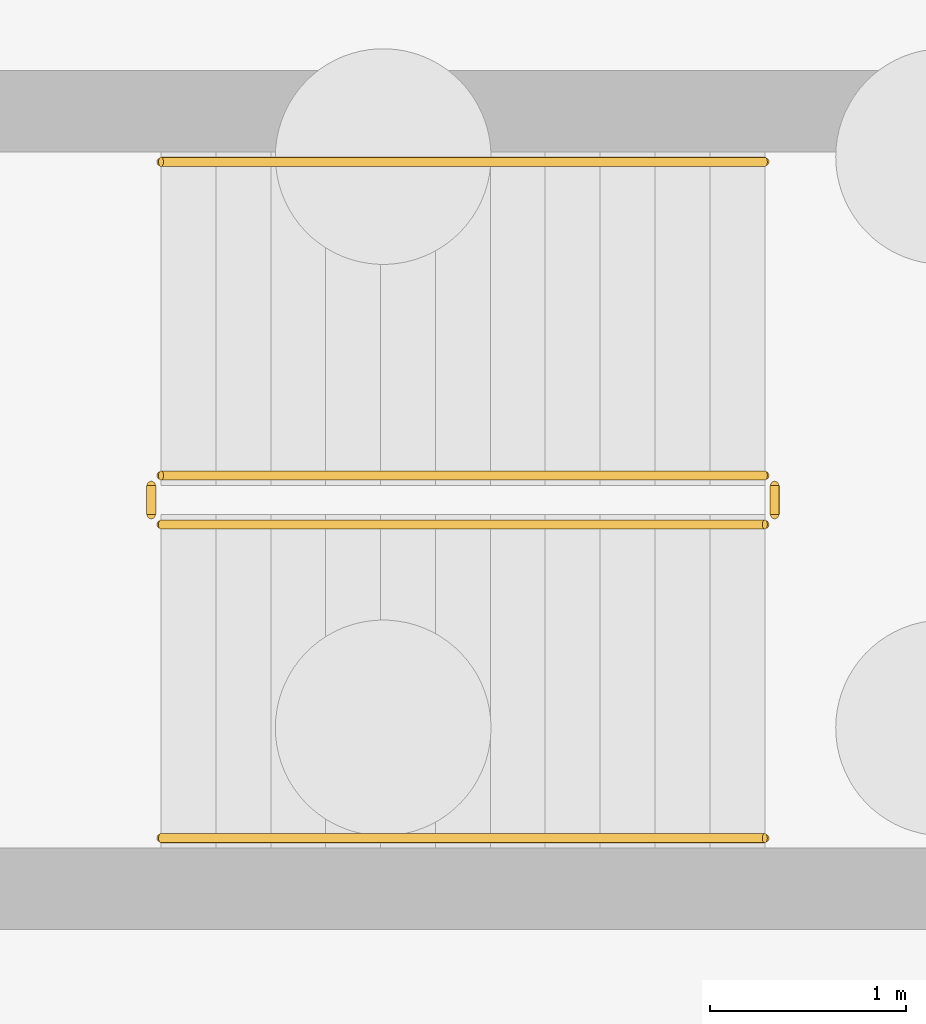
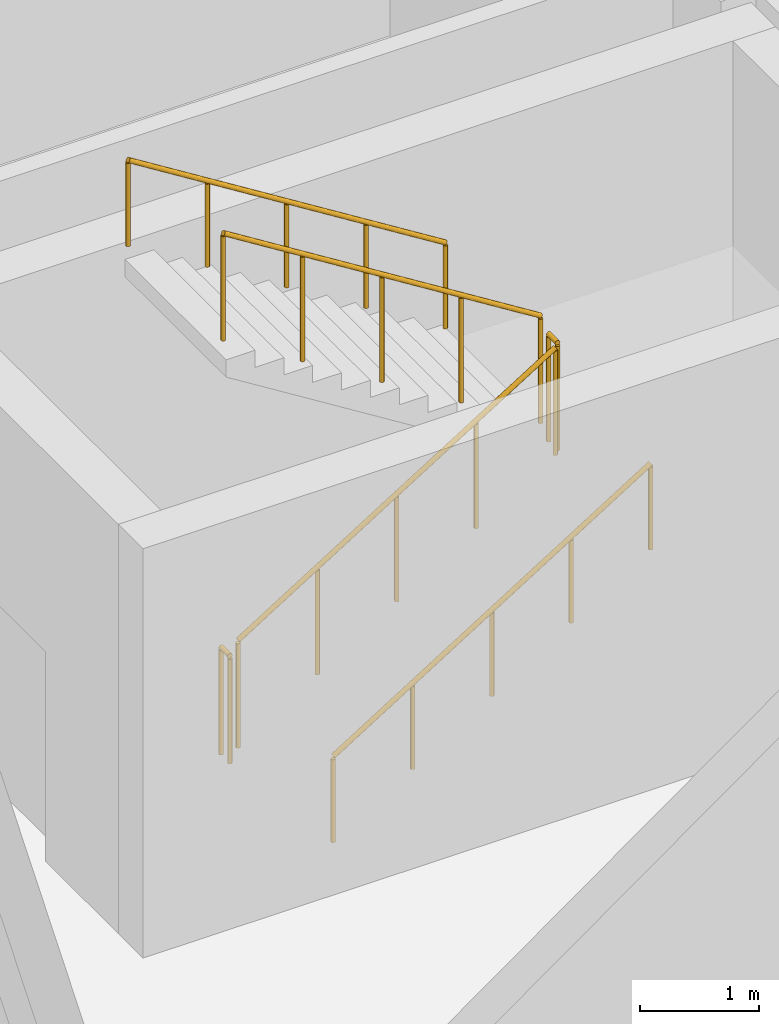
# One storey, part 30 of 31: 6 railings.
"""IFC4 building model written with IfcOpenShell, lengths in metres."""

from ifc_helpers import new_model, si_unit, direction, frame, origin, origin_2d, place, context, subcontext, project, spatial, circle, extrude, material, type_object, element, save


model = new_model("IFC4")

# Units and contexts
model_context = context("Model", 3, precision=1e-05, world=origin(), true_north=direction((0.0, 1.0)))
body_context = subcontext(model_context, "Body", "Model", "MODEL_VIEW")
ifc_project = project(units=[si_unit("LENGTHUNIT", "METRE"), si_unit("AREAUNIT", "SQUARE_METRE"), si_unit("VOLUMEUNIT", "CUBIC_METRE"), si_unit("PLANEANGLEUNIT", "RADIAN"), si_unit("MASSUNIT", "GRAM", prefix="KILO")], contexts=[model_context])

# Site, building, storey
site_placement = place(None, origin())
site = spatial("IfcSite", under=ifc_project, at=site_placement, CompositionType="ELEMENT")
building_placement = place(site_placement, origin())
building = spatial("IfcBuilding", under=site, at=building_placement, Name="Qalavern Law Courts", CompositionType="ELEMENT")
storey_placement = place(building_placement, frame((0.0, 0.0, -8.39990234375)))
storey = spatial("IfcBuildingStorey", under=building, at=storey_placement, Name="B2", CompositionType="ELEMENT", Elevation=-8.39990234375)

# Railings
ifc_material = material(Name="Steel S355", Category="steel")
railing_type_1 = type_object("IfcRailingType", Name="INT-GUARD-1120", PredefinedType="BALUSTRADE", material=ifc_material)
railing_1_placement = place(storey_placement, frame((99.89990234375, 69.949951171875, 0.1748046875)))
element("IfcRailing", 1, at=railing_1_placement, inside=storey, type_object=railing_type_1, Name="B2 ST-K1B stair guard 1", PredefinedType="BALUSTRADE", context=body_context, shape_type="SweptSolid", body=[
    extrude(circle(Radius=0.02392578125, at=origin_2d()), frame((0.0, 0.0, 1.09619140625), z_axis=(0.847998304005, 0.0, 0.529998940003), x_axis=(0.0, 1.0, 0.0)), (0.0, 0.0, 1.0), 3.632080078125),
    extrude(circle(Radius=0.02099609375, at=origin_2d()), origin(), (0.0, 0.0, 1.0), 1.072021484375),
    extrude(circle(Radius=0.02099609375, at=origin_2d()), frame((0.77001953125, 0.0, 0.481201171875)), (0.0, 0.0, 1.0), 1.072021484375),
    extrude(circle(Radius=0.02099609375, at=origin_2d()), frame((1.5400390625, 0.0, 0.96240234375)), (0.0, 0.0, 1.0), 1.072021484375),
    extrude(circle(Radius=0.02099609375, at=origin_2d()), frame((2.31005859375, 0.0, 1.44384765625)), (0.0, 0.0, 1.0), 1.072021484375),
    extrude(circle(Radius=0.02099609375, at=origin_2d()), frame((3.080078125, 0.0, 1.925048828125)), (0.0, 0.0, 1.0), 1.072021484375),
])
railing_2_placement = place(storey_placement, frame((103.030029296875, 70.0, 2.099853515625)))
element("IfcRailing", 2, at=railing_2_placement, inside=storey, type_object=railing_type_1, Name="B2 ST-K1B stair guard 2", PredefinedType="BALUSTRADE", context=body_context, shape_type="SweptSolid", body=[
    extrude(circle(Radius=0.02392578125, at=origin_2d()), frame((0.0, 0.0, 1.09619140625), z_axis=(0.0, 1.0, 0.0), x_axis=(-1.0, 0.0, 0.0)), (0.0, 0.0, 1.0), 0.14990234375),
    extrude(circle(Radius=0.02099609375, at=origin_2d()), origin(), (0.0, 0.0, 1.0), 1.072021484375),
    extrude(circle(Radius=0.02099609375, at=origin_2d()), frame((0.0, 0.14990234375, 0.0)), (0.0, 0.0, 1.0), 1.072021484375),
])
railing_3_placement = place(storey_placement, frame((102.97998046875, 70.199951171875, 2.27490234375)))
element("IfcRailing", 3, at=railing_3_placement, inside=storey, type_object=railing_type_1, Name="B2 ST-K1B stair guard 3", PredefinedType="BALUSTRADE", context=body_context, shape_type="SweptSolid", body=[
    extrude(circle(Radius=0.02392578125, at=origin_2d()), frame((0.0, 0.0, 1.09619140625), z_axis=(-0.847998304005, 0.0, 0.529998940003), x_axis=(0.0, -1.0, 0.0)), (0.0, 0.0, 1.0), 3.632080078125),
    extrude(circle(Radius=0.02099609375, at=origin_2d()), origin(), (0.0, 0.0, 1.0), 1.072021484375),
    extrude(circle(Radius=0.02099609375, at=origin_2d()), frame((-0.77001953125, 0.0, 0.481201171875)), (0.0, 0.0, 1.0), 1.072021484375),
    extrude(circle(Radius=0.02099609375, at=origin_2d()), frame((-1.5400390625, 0.0, 0.96240234375)), (0.0, 0.0, 1.0), 1.072021484375),
    extrude(circle(Radius=0.02099609375, at=origin_2d()), frame((-2.31005859375, 0.0, 1.44384765625)), (0.0, 0.0, 1.0), 1.072021484375),
    extrude(circle(Radius=0.02099609375, at=origin_2d()), frame((-3.080078125, 0.0, 1.925048828125)), (0.0, 0.0, 1.0), 1.072021484375),
])
railing_4_placement = place(storey_placement, frame((99.85009765625, 70.0, 0.0)))
element("IfcRailing", 4, at=railing_4_placement, inside=storey, type_object=railing_type_1, Name="B2 ST-K1B stair guard 4", PredefinedType="BALUSTRADE", context=body_context, shape_type="SweptSolid", body=[
    extrude(circle(Radius=0.02392578125, at=origin_2d()), frame((0.0, 0.0, 1.09619140625), z_axis=(0.0, 1.0, 0.0), x_axis=(-1.0, 0.0, 0.0)), (0.0, 0.0, 1.0), 0.14990234375),
    extrude(circle(Radius=0.02099609375, at=origin_2d()), origin(), (0.0, 0.0, 1.0), 1.072021484375),
    extrude(circle(Radius=0.02099609375, at=origin_2d()), frame((0.0, 0.14990234375, 0.0)), (0.0, 0.0, 1.0), 1.072021484375),
])
railing_type_2 = type_object("IfcRailingType", Name="INT-HRAIL-920", PredefinedType="HANDRAIL", material=ifc_material)
railing_5_placement = place(storey_placement, frame((99.89990234375, 68.35009765625, 0.1748046875)))
element("IfcRailing", 5, at=railing_5_placement, inside=storey, type_object=railing_type_2, Name="B2 ST-K1B stair handrail 1", PredefinedType="HANDRAIL", context=body_context, shape_type="SweptSolid", body=[
    extrude(circle(Radius=0.02392578125, at=origin_2d()), frame((0.0, 0.0, 0.8759765625), z_axis=(0.847998304005, 0.0, 0.529998940003), x_axis=(0.0, 1.0, 0.0)), (0.0, 0.0, 1.0), 3.632080078125),
    extrude(circle(Radius=0.02099609375, at=origin_2d()), origin(), (0.0, 0.0, 1.0), 0.851806640625),
    extrude(circle(Radius=0.02099609375, at=origin_2d()), frame((0.77001953125, 0.0, 0.481201171875)), (0.0, 0.0, 1.0), 0.851806640625),
    extrude(circle(Radius=0.02099609375, at=origin_2d()), frame((1.5400390625, 0.0, 0.96240234375)), (0.0, 0.0, 1.0), 0.851806640625),
    extrude(circle(Radius=0.02099609375, at=origin_2d()), frame((2.31005859375, 0.0, 1.44384765625)), (0.0, 0.0, 1.0), 0.851806640625),
    extrude(circle(Radius=0.02099609375, at=origin_2d()), frame((3.080078125, 0.0, 1.925048828125)), (0.0, 0.0, 1.0), 0.851806640625),
])
railing_6_placement = place(storey_placement, frame((102.97998046875, 71.800048828125, 2.27490234375)))
element("IfcRailing", 6, at=railing_6_placement, inside=storey, type_object=railing_type_2, Name="B2 ST-K1B stair handrail 2", PredefinedType="HANDRAIL", context=body_context, shape_type="SweptSolid", body=[
    extrude(circle(Radius=0.02392578125, at=origin_2d()), frame((0.0, 0.0, 0.8759765625), z_axis=(-0.847998304005, 0.0, 0.529998940003), x_axis=(0.0, -1.0, 0.0)), (0.0, 0.0, 1.0), 3.632080078125),
    extrude(circle(Radius=0.02099609375, at=origin_2d()), origin(), (0.0, 0.0, 1.0), 0.851806640625),
    extrude(circle(Radius=0.02099609375, at=origin_2d()), frame((-0.77001953125, 0.0, 0.481201171875)), (0.0, 0.0, 1.0), 0.851806640625),
    extrude(circle(Radius=0.02099609375, at=origin_2d()), frame((-1.5400390625, 0.0, 0.96240234375)), (0.0, 0.0, 1.0), 0.851806640625),
    extrude(circle(Radius=0.02099609375, at=origin_2d()), frame((-2.31005859375, 0.0, 1.44384765625)), (0.0, 0.0, 1.0), 0.851806640625),
    extrude(circle(Radius=0.02099609375, at=origin_2d()), frame((-3.080078125, 0.0, 1.925048828125)), (0.0, 0.0, 1.0), 0.851806640625),
])

save(model, "model.ifc")
